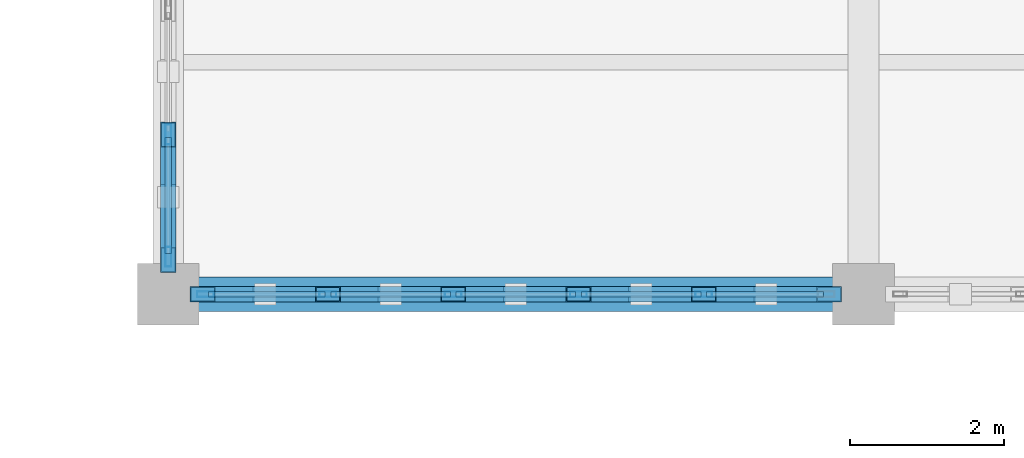
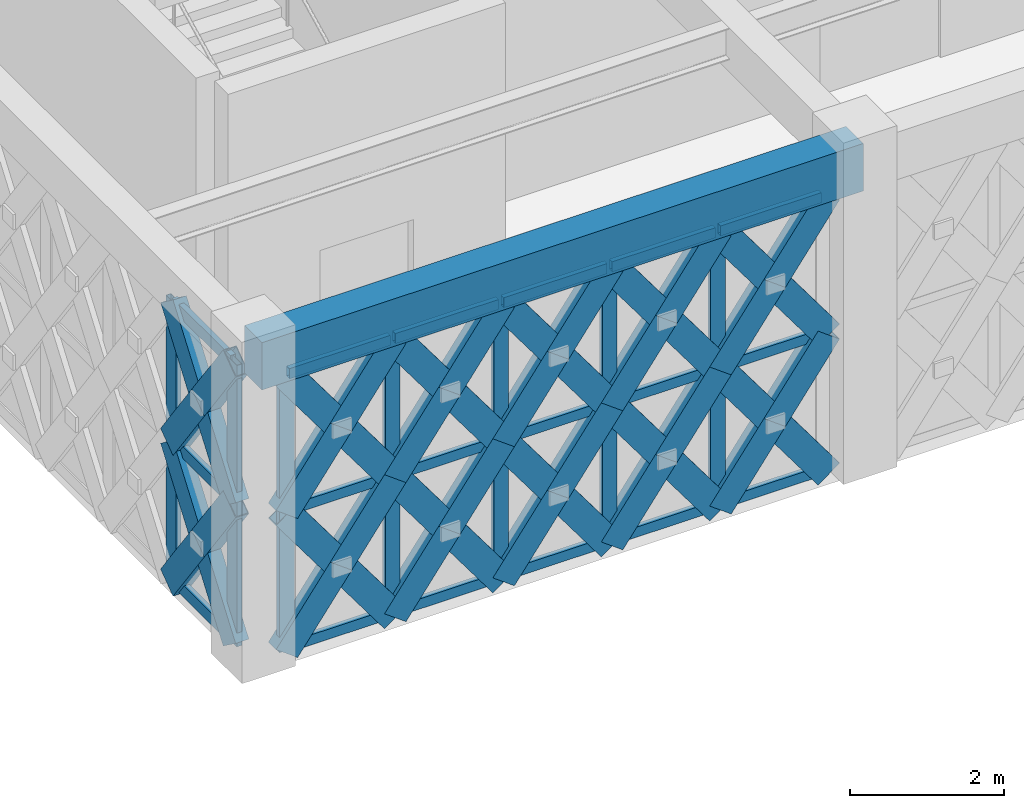
# One storey, part 31 of 86: 61 members, 1 beam, 2 elements without a shape of their own.
"""IFC4 building model written with IfcOpenShell, lengths in metres."""

from ifc_helpers import new_model, si_unit, direction, frame, origin, origin_2d, place, context, subcontext, project, spatial, rectangle, hollow_rectangle, extrude, material, material_profile, profile_set, type_object, element, aggregate, save


model = new_model("IFC4")

# Units and contexts
model_context = context("Model", 3, precision=1e-05, world=origin(), true_north=direction((0.0, 1.0)))
body_context = subcontext(model_context, "Body", "Model", "MODEL_VIEW")
ifc_project = project(units=[si_unit("LENGTHUNIT", "METRE"), si_unit("AREAUNIT", "SQUARE_METRE"), si_unit("VOLUMEUNIT", "CUBIC_METRE"), si_unit("PLANEANGLEUNIT", "RADIAN"), si_unit("MASSUNIT", "GRAM", prefix="KILO")], contexts=[model_context])

# Site, building, storey
site_placement = place(None, origin())
site = spatial("IfcSite", under=ifc_project, at=site_placement, CompositionType="ELEMENT")
building_placement = place(site_placement, origin())
building = spatial("IfcBuilding", under=site, at=building_placement, Name="Haizhuo Lancet Aquarium", CompositionType="ELEMENT")
storey_placement = place(building_placement, frame((0.0, 0.0, 16.199951171875)))
storey = spatial("IfcBuildingStorey", under=building, at=storey_placement, Name="L03", CompositionType="ELEMENT", Elevation=16.199951171875)

# Beam
ifc_material_1 = material(Name="Concrete C40/50", Category="concrete")
ifc_material_profile_1 = material_profile(ifc_material_1, rectangle(XDim=0.449951171875, YDim=0.75, at=origin_2d()), Name="RC-BM 450x750")
ifc_profile_set_1 = profile_set([ifc_material_profile_1], Name="Concrete C40/50")
beam_type = type_object("IfcBeamType", Name="BM-RC-450x750", PredefinedType="BEAM", material=ifc_profile_set_1)
beam_placement = place(storey_placement, frame((-27.0, 36.0, 4.775146484375), z_axis=(1.0, 0.0, 0.0), x_axis=(0.0, 1.0, 0.0)))
element("IfcBeam", 1, at=beam_placement, inside=storey, type_object=beam_type, Name="L03 V5 primary girder BM-L03-V5-002", PredefinedType="BEAM", context=body_context, shape_type="SweptSolid", body=[
    extrude(rectangle(XDim=0.449951171875, YDim=0.75, at=origin_2d()), origin(), (0.0, 0.0, 1.0), 9.0),
])

# Curtain wall, members
ifc_material_2 = material(Name="Aluminium 6063-T6", Category="aluminium")
curtain_wall_type_1 = type_object("IfcCurtainWallType", Name="CWD-8110x4400", PredefinedType="NOTDEFINED", material=ifc_material_2)
curtain_wall_1_placement = place(storey_placement, origin())
curtain_wall_1 = element("IfcCurtainWall", 2, at=curtain_wall_1_placement, inside=storey, type_object=curtain_wall_type_1, Name="L03 curtain wall CW-V5-L03-173", PredefinedType="NOTDEFINED")
ifc_material_profile_2 = material_profile(ifc_material_2, hollow_rectangle(XDim=0.074951171875, YDim=0.219970703125, WallThickness=0.0048828125, at=origin_2d()), Name="ALU-M 75x220x5")
ifc_profile_set_2 = profile_set([ifc_material_profile_2], Name="Aluminium 6063-T6")
member_type_1 = type_object("IfcMemberType", Name="CW-MUL-2", PredefinedType="MULLION", material=ifc_profile_set_2)
member_1_placement = place(storey_placement, frame((-20.06689453125, 36.0, 0.0), z_axis=(0.0, 0.0, 1.0), x_axis=(0.0, -1.0, 0.0)))
member_1 = element("IfcMember", 3, at=member_1_placement, type_object=member_type_1, Name="CWD-81x44 mullion 2", PredefinedType="MULLION", context=body_context, shape_type="SweptSolid", body=[
    extrude(hollow_rectangle(XDim=0.074951171875, YDim=0.219970703125, WallThickness=0.0048828125, at=origin_2d()), origin(), (0.0, 0.0, 1.0), 4.400146484375),
])
member_2_placement = place(storey_placement, frame((-21.68896484375, 36.0, 0.0), z_axis=(0.0, 0.0, 1.0), x_axis=(0.0, -1.0, 0.0)))
member_2 = element("IfcMember", 4, at=member_2_placement, type_object=member_type_1, Name="CWD-81x44 mullion 3", PredefinedType="MULLION", context=body_context, shape_type="SweptSolid", body=[
    extrude(hollow_rectangle(XDim=0.074951171875, YDim=0.219970703125, WallThickness=0.0048828125, at=origin_2d()), origin(), (0.0, 0.0, 1.0), 4.400146484375),
])
member_3_placement = place(storey_placement, frame((-23.31103515625, 36.0, 0.0), z_axis=(0.0, 0.0, 1.0), x_axis=(0.0, -1.0, 0.0)))
member_3 = element("IfcMember", 5, at=member_3_placement, type_object=member_type_1, Name="CWD-81x44 mullion 4", PredefinedType="MULLION", context=body_context, shape_type="SweptSolid", body=[
    extrude(hollow_rectangle(XDim=0.074951171875, YDim=0.219970703125, WallThickness=0.0048828125, at=origin_2d()), origin(), (0.0, 0.0, 1.0), 4.400146484375),
])
member_4_placement = place(storey_placement, frame((-24.93310546875, 36.0, 0.0), z_axis=(0.0, 0.0, 1.0), x_axis=(0.0, -1.0, 0.0)))
member_4 = element("IfcMember", 6, at=member_4_placement, type_object=member_type_1, Name="CWD-81x44 mullion 5", PredefinedType="MULLION", context=body_context, shape_type="SweptSolid", body=[
    extrude(hollow_rectangle(XDim=0.074951171875, YDim=0.219970703125, WallThickness=0.0048828125, at=origin_2d()), origin(), (0.0, 0.0, 1.0), 4.400146484375),
])
member_5_placement = place(storey_placement, frame((-26.51708984375, 36.0, 0.0), z_axis=(0.0, 0.0, 1.0), x_axis=(0.0, -1.0, 0.0)))
member_5 = element("IfcMember", 7, at=member_5_placement, type_object=member_type_1, Name="CWD-81x44 mullion 6", PredefinedType="MULLION", context=body_context, shape_type="SweptSolid", body=[
    extrude(hollow_rectangle(XDim=0.074951171875, YDim=0.219970703125, WallThickness=0.0048828125, at=origin_2d()), origin(), (0.0, 0.0, 1.0), 4.400146484375),
])

curtain_wall_type_2 = type_object("IfcCurtainWallType", Name="CWD-8110x4450", PredefinedType="NOTDEFINED", material=ifc_material_2)
curtain_wall_2_placement = place(storey_placement, origin())
curtain_wall_2 = element("IfcCurtainWall", 8, at=curtain_wall_2_placement, inside=storey, type_object=curtain_wall_type_2, Name="L03 curtain wall CW-V5-L03-174", PredefinedType="NOTDEFINED")
ifc_material_profile_3 = material_profile(ifc_material_2, hollow_rectangle(XDim=0.080078125, YDim=0.260009765625, WallThickness=0.0048828125, at=origin_2d()), Name="ALU-M 80x260x5")
ifc_profile_set_3 = profile_set([ifc_material_profile_3], Name="Aluminium 6063-T6")
member_type_2 = type_object("IfcMemberType", Name="CW-MUL-3", PredefinedType="MULLION", material=ifc_profile_set_3)
member_6_placement = place(storey_placement, frame((-27.0, 36.485107421875, 0.0), z_axis=(0.0, 0.0, 1.0), x_axis=(-1.0, 0.0, 0.0)))
member_6 = element("IfcMember", 9, at=member_6_placement, type_object=member_type_2, Name="CWD-81x44 mullion 1", PredefinedType="MULLION", context=body_context, shape_type="SweptSolid", body=[
    extrude(hollow_rectangle(XDim=0.080078125, YDim=0.260009765625, WallThickness=0.0048828125, at=origin_2d()), origin(), (0.0, 0.0, 1.0), 4.449951171875),
])
member_7_placement = place(storey_placement, frame((-27.0, 38.06689453125, 0.0), z_axis=(0.0, 0.0, 1.0), x_axis=(-1.0, 0.0, 0.0)))
member_7 = element("IfcMember", 10, at=member_7_placement, type_object=member_type_2, Name="CWD-81x44 mullion 2", PredefinedType="MULLION", context=body_context, shape_type="SweptSolid", body=[
    extrude(hollow_rectangle(XDim=0.080078125, YDim=0.260009765625, WallThickness=0.0048828125, at=origin_2d()), origin(), (0.0, 0.0, 1.0), 4.449951171875),
])

# Member
ifc_material_profile_4 = material_profile(ifc_material_2, hollow_rectangle(XDim=0.074951171875, YDim=0.159912109375, WallThickness=0.00390625, at=origin_2d()), Name="ALU-T 75x160x4")
ifc_profile_set_4 = profile_set([ifc_material_profile_4], Name="Aluminium 6063-T6")
member_type_3 = type_object("IfcMemberType", Name="CW-TRN-2", PredefinedType="NOTDEFINED", material=ifc_profile_set_4)
member_8_placement = place(storey_placement, frame((-18.52001953125, 36.0, 0.0380859375), z_axis=(-1.0, 0.0, 0.0), x_axis=(0.0, -1.0, 0.0)))
member_8 = element("IfcMember", 11, at=member_8_placement, type_object=member_type_3, Name="CWD-81x44 transom 1.1", ObjectType="TRANSOM", PredefinedType="USERDEFINED", context=body_context, shape_type="SweptSolid", body=[
    extrude(hollow_rectangle(XDim=0.074951171875, YDim=0.159912109375, WallThickness=0.00390625, at=origin_2d()), origin(), (0.0, 0.0, 1.0), 1.509033203125),
])

member_9_placement = place(storey_placement, frame((-18.52001953125, 36.0, 2.199951171875), z_axis=(-1.0, 0.0, 0.0), x_axis=(0.0, -1.0, 0.0)))
member_9 = element("IfcMember", 12, at=member_9_placement, type_object=member_type_3, Name="CWD-81x44 transom 1.2", ObjectType="TRANSOM", PredefinedType="USERDEFINED", context=body_context, shape_type="SweptSolid", body=[
    extrude(hollow_rectangle(XDim=0.074951171875, YDim=0.159912109375, WallThickness=0.00390625, at=origin_2d()), origin(), (0.0, 0.0, 1.0), 1.509033203125),
])

member_10_placement = place(storey_placement, frame((-18.52001953125, 36.0, 4.362060546875), z_axis=(-1.0, 0.0, 0.0), x_axis=(0.0, -1.0, 0.0)))
member_10 = element("IfcMember", 13, at=member_10_placement, type_object=member_type_3, Name="CWD-81x44 transom 1.3", ObjectType="TRANSOM", PredefinedType="USERDEFINED", context=body_context, shape_type="SweptSolid", body=[
    extrude(hollow_rectangle(XDim=0.074951171875, YDim=0.159912109375, WallThickness=0.00390625, at=origin_2d()), origin(), (0.0, 0.0, 1.0), 1.509033203125),
])

member_11_placement = place(storey_placement, frame((-20.10498046875, 36.0, 0.0380859375), z_axis=(-1.0, 0.0, 0.0), x_axis=(0.0, -1.0, 0.0)))
member_11 = element("IfcMember", 14, at=member_11_placement, type_object=member_type_3, Name="CWD-81x44 transom 2.1", ObjectType="TRANSOM", PredefinedType="USERDEFINED", context=body_context, shape_type="SweptSolid", body=[
    extrude(hollow_rectangle(XDim=0.074951171875, YDim=0.159912109375, WallThickness=0.00390625, at=origin_2d()), origin(), (0.0, 0.0, 1.0), 1.5458984375),
])

member_12_placement = place(storey_placement, frame((-20.10498046875, 36.0, 2.199951171875), z_axis=(-1.0, 0.0, 0.0), x_axis=(0.0, -1.0, 0.0)))
member_12 = element("IfcMember", 15, at=member_12_placement, type_object=member_type_3, Name="CWD-81x44 transom 2.2", ObjectType="TRANSOM", PredefinedType="USERDEFINED", context=body_context, shape_type="SweptSolid", body=[
    extrude(hollow_rectangle(XDim=0.074951171875, YDim=0.159912109375, WallThickness=0.00390625, at=origin_2d()), origin(), (0.0, 0.0, 1.0), 1.5458984375),
])

member_13_placement = place(storey_placement, frame((-20.10498046875, 36.0, 4.362060546875), z_axis=(-1.0, 0.0, 0.0), x_axis=(0.0, -1.0, 0.0)))
member_13 = element("IfcMember", 16, at=member_13_placement, type_object=member_type_3, Name="CWD-81x44 transom 2.3", ObjectType="TRANSOM", PredefinedType="USERDEFINED", context=body_context, shape_type="SweptSolid", body=[
    extrude(hollow_rectangle(XDim=0.074951171875, YDim=0.159912109375, WallThickness=0.00390625, at=origin_2d()), origin(), (0.0, 0.0, 1.0), 1.5458984375),
])

member_14_placement = place(storey_placement, frame((-21.72705078125, 36.0, 0.0380859375), z_axis=(-1.0, 0.0, 0.0), x_axis=(0.0, -1.0, 0.0)))
member_14 = element("IfcMember", 17, at=member_14_placement, type_object=member_type_3, Name="CWD-81x44 transom 3.1", ObjectType="TRANSOM", PredefinedType="USERDEFINED", context=body_context, shape_type="SweptSolid", body=[
    extrude(hollow_rectangle(XDim=0.074951171875, YDim=0.159912109375, WallThickness=0.00390625, at=origin_2d()), origin(), (0.0, 0.0, 1.0), 1.5458984375),
])

member_15_placement = place(storey_placement, frame((-21.72705078125, 36.0, 2.199951171875), z_axis=(-1.0, 0.0, 0.0), x_axis=(0.0, -1.0, 0.0)))
member_15 = element("IfcMember", 18, at=member_15_placement, type_object=member_type_3, Name="CWD-81x44 transom 3.2", ObjectType="TRANSOM", PredefinedType="USERDEFINED", context=body_context, shape_type="SweptSolid", body=[
    extrude(hollow_rectangle(XDim=0.074951171875, YDim=0.159912109375, WallThickness=0.00390625, at=origin_2d()), origin(), (0.0, 0.0, 1.0), 1.5458984375),
])

member_16_placement = place(storey_placement, frame((-21.72705078125, 36.0, 4.362060546875), z_axis=(-1.0, 0.0, 0.0), x_axis=(0.0, -1.0, 0.0)))
member_16 = element("IfcMember", 19, at=member_16_placement, type_object=member_type_3, Name="CWD-81x44 transom 3.3", ObjectType="TRANSOM", PredefinedType="USERDEFINED", context=body_context, shape_type="SweptSolid", body=[
    extrude(hollow_rectangle(XDim=0.074951171875, YDim=0.159912109375, WallThickness=0.00390625, at=origin_2d()), origin(), (0.0, 0.0, 1.0), 1.5458984375),
])

member_17_placement = place(storey_placement, frame((-23.34912109375, 36.0, 0.0380859375), z_axis=(-1.0, 0.0, 0.0), x_axis=(0.0, -1.0, 0.0)))
member_17 = element("IfcMember", 20, at=member_17_placement, type_object=member_type_3, Name="CWD-81x44 transom 4.1", ObjectType="TRANSOM", PredefinedType="USERDEFINED", context=body_context, shape_type="SweptSolid", body=[
    extrude(hollow_rectangle(XDim=0.074951171875, YDim=0.159912109375, WallThickness=0.00390625, at=origin_2d()), origin(), (0.0, 0.0, 1.0), 1.5458984375),
])

member_18_placement = place(storey_placement, frame((-23.34912109375, 36.0, 2.199951171875), z_axis=(-1.0, 0.0, 0.0), x_axis=(0.0, -1.0, 0.0)))
member_18 = element("IfcMember", 21, at=member_18_placement, type_object=member_type_3, Name="CWD-81x44 transom 4.2", ObjectType="TRANSOM", PredefinedType="USERDEFINED", context=body_context, shape_type="SweptSolid", body=[
    extrude(hollow_rectangle(XDim=0.074951171875, YDim=0.159912109375, WallThickness=0.00390625, at=origin_2d()), origin(), (0.0, 0.0, 1.0), 1.5458984375),
])

member_19_placement = place(storey_placement, frame((-23.34912109375, 36.0, 4.362060546875), z_axis=(-1.0, 0.0, 0.0), x_axis=(0.0, -1.0, 0.0)))
member_19 = element("IfcMember", 22, at=member_19_placement, type_object=member_type_3, Name="CWD-81x44 transom 4.3", ObjectType="TRANSOM", PredefinedType="USERDEFINED", context=body_context, shape_type="SweptSolid", body=[
    extrude(hollow_rectangle(XDim=0.074951171875, YDim=0.159912109375, WallThickness=0.00390625, at=origin_2d()), origin(), (0.0, 0.0, 1.0), 1.5458984375),
])

member_20_placement = place(storey_placement, frame((-24.970947265625, 36.0, 0.0380859375), z_axis=(-1.0, 0.0, 0.0), x_axis=(0.0, -1.0, 0.0)))
member_20 = element("IfcMember", 23, at=member_20_placement, type_object=member_type_3, Name="CWD-81x44 transom 5.1", ObjectType="TRANSOM", PredefinedType="USERDEFINED", context=body_context, shape_type="SweptSolid", body=[
    extrude(hollow_rectangle(XDim=0.074951171875, YDim=0.159912109375, WallThickness=0.00390625, at=origin_2d()), origin(), (0.0, 0.0, 1.0), 1.509033203125),
])

member_21_placement = place(storey_placement, frame((-24.970947265625, 36.0, 2.199951171875), z_axis=(-1.0, 0.0, 0.0), x_axis=(0.0, -1.0, 0.0)))
member_21 = element("IfcMember", 24, at=member_21_placement, type_object=member_type_3, Name="CWD-81x44 transom 5.2", ObjectType="TRANSOM", PredefinedType="USERDEFINED", context=body_context, shape_type="SweptSolid", body=[
    extrude(hollow_rectangle(XDim=0.074951171875, YDim=0.159912109375, WallThickness=0.00390625, at=origin_2d()), origin(), (0.0, 0.0, 1.0), 1.509033203125),
])

member_22_placement = place(storey_placement, frame((-24.970947265625, 36.0, 4.362060546875), z_axis=(-1.0, 0.0, 0.0), x_axis=(0.0, -1.0, 0.0)))
member_22 = element("IfcMember", 25, at=member_22_placement, type_object=member_type_3, Name="CWD-81x44 transom 5.3", ObjectType="TRANSOM", PredefinedType="USERDEFINED", context=body_context, shape_type="SweptSolid", body=[
    extrude(hollow_rectangle(XDim=0.074951171875, YDim=0.159912109375, WallThickness=0.00390625, at=origin_2d()), origin(), (0.0, 0.0, 1.0), 1.509033203125),
])

aggregate(curtain_wall_1, [member_1, member_2, member_3, member_4, member_5, member_8, member_9, member_10, member_11, member_12, member_13, member_14, member_15, member_16, member_17, member_18, member_19, member_20, member_21, member_22])

ifc_material_profile_5 = material_profile(ifc_material_2, hollow_rectangle(XDim=0.080078125, YDim=0.18994140625, WallThickness=0.0048828125, at=origin_2d()), Name="ALU-T 80x190x5")
ifc_profile_set_5 = profile_set([ifc_material_profile_5], Name="Aluminium 6063-T6")
member_type_4 = type_object("IfcMemberType", Name="CW-TRN-3", PredefinedType="NOTDEFINED", material=ifc_profile_set_5)
member_23_placement = place(storey_placement, frame((-27.0, 36.52490234375, 0.0400390625), z_axis=(0.0, 1.0, 0.0), x_axis=(-1.0, 0.0, 0.0)))
member_23 = element("IfcMember", 26, at=member_23_placement, type_object=member_type_4, Name="CWD-81x44 transom 1.1", ObjectType="TRANSOM", PredefinedType="USERDEFINED", context=body_context, shape_type="SweptSolid", body=[
    extrude(hollow_rectangle(XDim=0.080078125, YDim=0.18994140625, WallThickness=0.0048828125, at=origin_2d()), origin(), (0.0, 0.0, 1.0), 1.502197265625),
])

member_24_placement = place(storey_placement, frame((-27.0, 36.52490234375, 2.22509765625), z_axis=(0.0, 1.0, 0.0), x_axis=(-1.0, 0.0, 0.0)))
member_24 = element("IfcMember", 27, at=member_24_placement, type_object=member_type_4, Name="CWD-81x44 transom 1.2", ObjectType="TRANSOM", PredefinedType="USERDEFINED", context=body_context, shape_type="SweptSolid", body=[
    extrude(hollow_rectangle(XDim=0.080078125, YDim=0.18994140625, WallThickness=0.0048828125, at=origin_2d()), origin(), (0.0, 0.0, 1.0), 1.502197265625),
])

member_25_placement = place(storey_placement, frame((-27.0, 36.52490234375, 4.41015625), z_axis=(0.0, 1.0, 0.0), x_axis=(-1.0, 0.0, 0.0)))
member_25 = element("IfcMember", 28, at=member_25_placement, type_object=member_type_4, Name="CWD-81x44 transom 1.3", ObjectType="TRANSOM", PredefinedType="USERDEFINED", context=body_context, shape_type="SweptSolid", body=[
    extrude(hollow_rectangle(XDim=0.080078125, YDim=0.18994140625, WallThickness=0.0048828125, at=origin_2d()), origin(), (0.0, 0.0, 1.0), 1.502197265625),
])

aggregate(curtain_wall_2, [member_6, member_7, member_23, member_24, member_25])

# Members
ifc_material_3 = material(Name="Steel S355", Category="steel")
ifc_material_profile_6 = material_profile(ifc_material_3, hollow_rectangle(XDim=0.199951171875, YDim=0.39990234375, WallThickness=0.011962890625, at=origin_2d()), Name="RHS 200x400x12")
ifc_profile_set_6 = profile_set([ifc_material_profile_6], Name="Steel S355")
member_type_5 = type_object("IfcMemberType", Name="MEM-LB-RHS200x400", PredefinedType="BRACE", material=ifc_profile_set_6)
member_26_placement = place(storey_placement, frame((-18.445068359375, 36.0, 0.0), z_axis=(-0.593390983354, 0.0, 0.804914368659), x_axis=(0.0, -1.0, 0.0)))
element("IfcMember", 29, at=member_26_placement, inside=storey, type_object=member_type_5, Name="Gothic lancet continuous diagonal brace CW-V5-L03-173 1A", PredefinedType="BRACE", context=body_context, shape_type="SweptSolid", body=[
    extrude(hollow_rectangle(XDim=0.199951171875, YDim=0.39990234375, WallThickness=0.011962890625, at=origin_2d()), origin(), (0.0, 0.0, 1.0), 2.733154296875),
])
member_27_placement = place(storey_placement, frame((-20.06689453125, 36.0, 0.0), z_axis=(0.593290443054, 0.0, 0.80498847829), x_axis=(0.0, 1.0, 0.0)))
element("IfcMember", 30, at=member_27_placement, inside=storey, type_object=member_type_5, Name="Gothic lancet split diagonal brace CW-V5-L03-173 1B1", PredefinedType="BRACE", context=body_context, shape_type="SweptSolid", body=[
    extrude(hollow_rectangle(XDim=0.199951171875, YDim=0.39990234375, WallThickness=0.011962890625, at=origin_2d()), origin(), (0.0, 0.0, 1.0), 1.36669921875),
])
member_28_placement = place(storey_placement, frame((-19.256103515625, 36.0, 1.10009765625), z_axis=(0.593491518195, 0.0, 0.80484024367), x_axis=(0.0, 1.0, 0.0)))
element("IfcMember", 31, at=member_28_placement, inside=storey, type_object=member_type_5, Name="Gothic lancet split diagonal brace CW-V5-L03-173 1B2", PredefinedType="BRACE", context=body_context, shape_type="SweptSolid", body=[
    extrude(hollow_rectangle(XDim=0.199951171875, YDim=0.39990234375, WallThickness=0.011962890625, at=origin_2d()), origin(), (0.0, 0.0, 1.0), 1.366455078125),
])
member_29_placement = place(storey_placement, frame((-18.445068359375, 36.0, 2.199951171875), z_axis=(-0.593348321024, 0.0, 0.804945818014), x_axis=(0.0, -1.0, 0.0)))
element("IfcMember", 32, at=member_29_placement, inside=storey, type_object=member_type_5, Name="Gothic lancet continuous diagonal brace CW-V5-L03-173 2A", PredefinedType="BRACE", context=body_context, shape_type="SweptSolid", body=[
    extrude(hollow_rectangle(XDim=0.199951171875, YDim=0.39990234375, WallThickness=0.011962890625, at=origin_2d()), origin(), (0.0, 0.0, 1.0), 2.7333984375),
])
for number, where, z_axis, x_axis, name in (
    (33, (-20.06689453125, 36.0, 2.199951171875), (0.593290443054, 0.0, 0.80498847829), (0.0, 1.0, 0.0), "Gothic lancet split diagonal brace CW-V5-L03-173 2B1"),
    (34, (-19.256103515625, 36.0, 3.300048828125), (0.593406189792, 0.0, 0.804903158098), (0.0, 1.0, 0.0), "Gothic lancet split diagonal brace CW-V5-L03-173 2B2"),
):
    element("IfcMember", number, at=place(storey_placement, frame(where, z_axis=z_axis, x_axis=x_axis)), inside=storey, type_object=member_type_5, Name=name, PredefinedType="BRACE", context=body_context, shape_type="SweptSolid", body=[
        extrude(hollow_rectangle(XDim=0.199951171875, YDim=0.39990234375, WallThickness=0.011962890625, at=origin_2d()), origin(), (0.0, 0.0, 1.0), 1.36669921875),
    ])
member_30_placement = place(storey_placement, frame((-20.06689453125, 36.0, 0.0), z_axis=(-0.59344885176, 0.0, 0.804871704276), x_axis=(0.0, -1.0, 0.0)))
element("IfcMember", 35, at=member_30_placement, inside=storey, type_object=member_type_5, Name="Gothic lancet continuous diagonal brace CW-V5-L03-173 3A", PredefinedType="BRACE", context=body_context, shape_type="SweptSolid", body=[
    extrude(hollow_rectangle(XDim=0.199951171875, YDim=0.39990234375, WallThickness=0.011962890625, at=origin_2d()), origin(), (0.0, 0.0, 1.0), 2.7333984375),
])
member_31_placement = place(storey_placement, frame((-21.68896484375, 36.0, 0.0), z_axis=(0.593406189792, 0.0, 0.804903158098), x_axis=(0.0, 1.0, 0.0)))
element("IfcMember", 36, at=member_31_placement, inside=storey, type_object=member_type_5, Name="Gothic lancet split diagonal brace CW-V5-L03-173 3B1", PredefinedType="BRACE", context=body_context, shape_type="SweptSolid", body=[
    extrude(hollow_rectangle(XDim=0.199951171875, YDim=0.39990234375, WallThickness=0.011962890625, at=origin_2d()), origin(), (0.0, 0.0, 1.0), 1.36669921875),
])
member_32_placement = place(storey_placement, frame((-20.8779296875, 36.0, 1.10009765625), z_axis=(0.593491518195, 0.0, 0.80484024367), x_axis=(0.0, 1.0, 0.0)))
element("IfcMember", 37, at=member_32_placement, inside=storey, type_object=member_type_5, Name="Gothic lancet split diagonal brace CW-V5-L03-173 3B2", PredefinedType="BRACE", context=body_context, shape_type="SweptSolid", body=[
    extrude(hollow_rectangle(XDim=0.199951171875, YDim=0.39990234375, WallThickness=0.011962890625, at=origin_2d()), origin(), (0.0, 0.0, 1.0), 1.366455078125),
])
member_33_placement = place(storey_placement, frame((-20.06689453125, 36.0, 2.199951171875), z_axis=(-0.593406189792, 0.0, 0.804903158098), x_axis=(0.0, -1.0, 0.0)))
element("IfcMember", 38, at=member_33_placement, inside=storey, type_object=member_type_5, Name="Gothic lancet continuous diagonal brace CW-V5-L03-173 4A", PredefinedType="BRACE", context=body_context, shape_type="SweptSolid", body=[
    extrude(hollow_rectangle(XDim=0.199951171875, YDim=0.39990234375, WallThickness=0.011962890625, at=origin_2d()), origin(), (0.0, 0.0, 1.0), 2.7333984375),
])
for number, where, z_axis, x_axis, name in (
    (39, (-21.68896484375, 36.0, 2.199951171875), (0.593406189792, 0.0, 0.804903158098), (0.0, 1.0, 0.0), "Gothic lancet split diagonal brace CW-V5-L03-173 4B1"),
    (40, (-20.8779296875, 36.0, 3.300048828125), (0.593406189792, 0.0, 0.804903158098), (0.0, 1.0, 0.0), "Gothic lancet split diagonal brace CW-V5-L03-173 4B2"),
):
    element("IfcMember", number, at=place(storey_placement, frame(where, z_axis=z_axis, x_axis=x_axis)), inside=storey, type_object=member_type_5, Name=name, PredefinedType="BRACE", context=body_context, shape_type="SweptSolid", body=[
        extrude(hollow_rectangle(XDim=0.199951171875, YDim=0.39990234375, WallThickness=0.011962890625, at=origin_2d()), origin(), (0.0, 0.0, 1.0), 1.36669921875),
    ])
member_34_placement = place(storey_placement, frame((-21.68896484375, 36.0, 0.0), z_axis=(-0.59344885176, 0.0, 0.804871704276), x_axis=(0.0, -1.0, 0.0)))
element("IfcMember", 41, at=member_34_placement, inside=storey, type_object=member_type_5, Name="Gothic lancet continuous diagonal brace CW-V5-L03-173 5A", PredefinedType="BRACE", context=body_context, shape_type="SweptSolid", body=[
    extrude(hollow_rectangle(XDim=0.199951171875, YDim=0.39990234375, WallThickness=0.011962890625, at=origin_2d()), origin(), (0.0, 0.0, 1.0), 2.7333984375),
])
member_35_placement = place(storey_placement, frame((-23.31103515625, 36.0, 0.0), z_axis=(0.593406189792, 0.0, 0.804903158098), x_axis=(0.0, 1.0, 0.0)))
element("IfcMember", 42, at=member_35_placement, inside=storey, type_object=member_type_5, Name="Gothic lancet split diagonal brace CW-V5-L03-173 5B1", PredefinedType="BRACE", context=body_context, shape_type="SweptSolid", body=[
    extrude(hollow_rectangle(XDim=0.199951171875, YDim=0.39990234375, WallThickness=0.011962890625, at=origin_2d()), origin(), (0.0, 0.0, 1.0), 1.36669921875),
])
member_36_placement = place(storey_placement, frame((-22.5, 36.0, 1.10009765625), z_axis=(0.593491518195, 0.0, 0.80484024367), x_axis=(0.0, 1.0, 0.0)))
element("IfcMember", 43, at=member_36_placement, inside=storey, type_object=member_type_5, Name="Gothic lancet split diagonal brace CW-V5-L03-173 5B2", PredefinedType="BRACE", context=body_context, shape_type="SweptSolid", body=[
    extrude(hollow_rectangle(XDim=0.199951171875, YDim=0.39990234375, WallThickness=0.011962890625, at=origin_2d()), origin(), (0.0, 0.0, 1.0), 1.366455078125),
])
member_37_placement = place(storey_placement, frame((-21.68896484375, 36.0, 2.199951171875), z_axis=(-0.593406189792, 0.0, 0.804903158098), x_axis=(0.0, -1.0, 0.0)))
element("IfcMember", 44, at=member_37_placement, inside=storey, type_object=member_type_5, Name="Gothic lancet continuous diagonal brace CW-V5-L03-173 6A", PredefinedType="BRACE", context=body_context, shape_type="SweptSolid", body=[
    extrude(hollow_rectangle(XDim=0.199951171875, YDim=0.39990234375, WallThickness=0.011962890625, at=origin_2d()), origin(), (0.0, 0.0, 1.0), 2.7333984375),
])
for number, where, z_axis, x_axis, name in (
    (45, (-23.31103515625, 36.0, 2.199951171875), (0.593406189792, 0.0, 0.804903158098), (0.0, 1.0, 0.0), "Gothic lancet split diagonal brace CW-V5-L03-173 6B1"),
    (46, (-22.5, 36.0, 3.300048828125), (0.593406189792, 0.0, 0.804903158098), (0.0, 1.0, 0.0), "Gothic lancet split diagonal brace CW-V5-L03-173 6B2"),
):
    element("IfcMember", number, at=place(storey_placement, frame(where, z_axis=z_axis, x_axis=x_axis)), inside=storey, type_object=member_type_5, Name=name, PredefinedType="BRACE", context=body_context, shape_type="SweptSolid", body=[
        extrude(hollow_rectangle(XDim=0.199951171875, YDim=0.39990234375, WallThickness=0.011962890625, at=origin_2d()), origin(), (0.0, 0.0, 1.0), 1.36669921875),
    ])
member_38_placement = place(storey_placement, frame((-23.31103515625, 36.0, 0.0), z_axis=(-0.59344885176, 0.0, 0.804871704276), x_axis=(0.0, -1.0, 0.0)))
element("IfcMember", 47, at=member_38_placement, inside=storey, type_object=member_type_5, Name="Gothic lancet continuous diagonal brace CW-V5-L03-173 7A", PredefinedType="BRACE", context=body_context, shape_type="SweptSolid", body=[
    extrude(hollow_rectangle(XDim=0.199951171875, YDim=0.39990234375, WallThickness=0.011962890625, at=origin_2d()), origin(), (0.0, 0.0, 1.0), 2.7333984375),
])
member_39_placement = place(storey_placement, frame((-24.93310546875, 36.0, 0.0), z_axis=(0.593406189792, 0.0, 0.804903158098), x_axis=(0.0, 1.0, 0.0)))
element("IfcMember", 48, at=member_39_placement, inside=storey, type_object=member_type_5, Name="Gothic lancet split diagonal brace CW-V5-L03-173 7B1", PredefinedType="BRACE", context=body_context, shape_type="SweptSolid", body=[
    extrude(hollow_rectangle(XDim=0.199951171875, YDim=0.39990234375, WallThickness=0.011962890625, at=origin_2d()), origin(), (0.0, 0.0, 1.0), 1.36669921875),
])
member_40_placement = place(storey_placement, frame((-24.1220703125, 36.0, 1.10009765625), z_axis=(0.593491518195, 0.0, 0.80484024367), x_axis=(0.0, 1.0, 0.0)))
element("IfcMember", 49, at=member_40_placement, inside=storey, type_object=member_type_5, Name="Gothic lancet split diagonal brace CW-V5-L03-173 7B2", PredefinedType="BRACE", context=body_context, shape_type="SweptSolid", body=[
    extrude(hollow_rectangle(XDim=0.199951171875, YDim=0.39990234375, WallThickness=0.011962890625, at=origin_2d()), origin(), (0.0, 0.0, 1.0), 1.366455078125),
])
member_41_placement = place(storey_placement, frame((-23.31103515625, 36.0, 2.199951171875), z_axis=(-0.593406189792, 0.0, 0.804903158098), x_axis=(0.0, -1.0, 0.0)))
element("IfcMember", 50, at=member_41_placement, inside=storey, type_object=member_type_5, Name="Gothic lancet continuous diagonal brace CW-V5-L03-173 8A", PredefinedType="BRACE", context=body_context, shape_type="SweptSolid", body=[
    extrude(hollow_rectangle(XDim=0.199951171875, YDim=0.39990234375, WallThickness=0.011962890625, at=origin_2d()), origin(), (0.0, 0.0, 1.0), 2.7333984375),
])
for number, where, z_axis, x_axis, name in (
    (51, (-24.93310546875, 36.0, 2.199951171875), (0.593406189792, 0.0, 0.804903158098), (0.0, 1.0, 0.0), "Gothic lancet split diagonal brace CW-V5-L03-173 8B1"),
    (52, (-24.1220703125, 36.0, 3.300048828125), (0.593406189792, 0.0, 0.804903158098), (0.0, 1.0, 0.0), "Gothic lancet split diagonal brace CW-V5-L03-173 8B2"),
):
    element("IfcMember", number, at=place(storey_placement, frame(where, z_axis=z_axis, x_axis=x_axis)), inside=storey, type_object=member_type_5, Name=name, PredefinedType="BRACE", context=body_context, shape_type="SweptSolid", body=[
        extrude(hollow_rectangle(XDim=0.199951171875, YDim=0.39990234375, WallThickness=0.011962890625, at=origin_2d()), origin(), (0.0, 0.0, 1.0), 1.36669921875),
    ])
member_42_placement = place(storey_placement, frame((-24.93310546875, 36.0, 0.0), z_axis=(-0.593390983354, 0.0, 0.804914368659), x_axis=(0.0, -1.0, 0.0)))
element("IfcMember", 53, at=member_42_placement, inside=storey, type_object=member_type_5, Name="Gothic lancet continuous diagonal brace CW-V5-L03-173 9A", PredefinedType="BRACE", context=body_context, shape_type="SweptSolid", body=[
    extrude(hollow_rectangle(XDim=0.199951171875, YDim=0.39990234375, WallThickness=0.011962890625, at=origin_2d()), origin(), (0.0, 0.0, 1.0), 2.733154296875),
])
member_43_placement = place(storey_placement, frame((-26.554931640625, 36.0, 0.0), z_axis=(0.593406189792, 0.0, 0.804903158098), x_axis=(0.0, 1.0, 0.0)))
element("IfcMember", 54, at=member_43_placement, inside=storey, type_object=member_type_5, Name="Gothic lancet split diagonal brace CW-V5-L03-173 9B1", PredefinedType="BRACE", context=body_context, shape_type="SweptSolid", body=[
    extrude(hollow_rectangle(XDim=0.199951171875, YDim=0.39990234375, WallThickness=0.011962890625, at=origin_2d()), origin(), (0.0, 0.0, 1.0), 1.36669921875),
])
member_44_placement = place(storey_placement, frame((-25.743896484375, 36.0, 1.10009765625), z_axis=(0.593375772905, 0.0, 0.804925581734), x_axis=(0.0, 1.0, 0.0)))
element("IfcMember", 55, at=member_44_placement, inside=storey, type_object=member_type_5, Name="Gothic lancet split diagonal brace CW-V5-L03-173 9B2", PredefinedType="BRACE", context=body_context, shape_type="SweptSolid", body=[
    extrude(hollow_rectangle(XDim=0.199951171875, YDim=0.39990234375, WallThickness=0.011962890625, at=origin_2d()), origin(), (0.0, 0.0, 1.0), 1.366455078125),
])
member_45_placement = place(storey_placement, frame((-24.93310546875, 36.0, 2.199951171875), z_axis=(-0.593348321024, 0.0, 0.804945818014), x_axis=(0.0, -1.0, 0.0)))
element("IfcMember", 56, at=member_45_placement, inside=storey, type_object=member_type_5, Name="Gothic lancet continuous diagonal brace CW-V5-L03-173 10A", PredefinedType="BRACE", context=body_context, shape_type="SweptSolid", body=[
    extrude(hollow_rectangle(XDim=0.199951171875, YDim=0.39990234375, WallThickness=0.011962890625, at=origin_2d()), origin(), (0.0, 0.0, 1.0), 2.7333984375),
])
for number, where, z_axis, x_axis, name in (
    (57, (-26.554931640625, 36.0, 2.199951171875), (0.593406189792, 0.0, 0.804903158098), (0.0, 1.0, 0.0), "Gothic lancet split diagonal brace CW-V5-L03-173 10B1"),
    (58, (-25.743896484375, 36.0, 3.300048828125), (0.593290443054, 0.0, 0.80498847829), (0.0, 1.0, 0.0), "Gothic lancet split diagonal brace CW-V5-L03-173 10B2"),
):
    element("IfcMember", number, at=place(storey_placement, frame(where, z_axis=z_axis, x_axis=x_axis)), inside=storey, type_object=member_type_5, Name=name, PredefinedType="BRACE", context=body_context, shape_type="SweptSolid", body=[
        extrude(hollow_rectangle(XDim=0.199951171875, YDim=0.39990234375, WallThickness=0.011962890625, at=origin_2d()), origin(), (0.0, 0.0, 1.0), 1.36669921875),
    ])
member_46_placement = place(storey_placement, frame((-27.0, 36.445068359375, 0.0), z_axis=(0.0, 0.589020188162, 0.808118319269), x_axis=(-1.0, 0.0, 0.0)))
element("IfcMember", 59, at=member_46_placement, inside=storey, type_object=member_type_5, Name="Gothic lancet continuous diagonal brace CW-V5-L03-174 1A", PredefinedType="BRACE", context=body_context, shape_type="SweptSolid", body=[
    extrude(hollow_rectangle(XDim=0.199951171875, YDim=0.39990234375, WallThickness=0.011962890625, at=origin_2d()), origin(), (0.0, 0.0, 1.0), 2.75341796875),
])
member_47_placement = place(storey_placement, frame((-27.0, 38.06689453125, 0.0), z_axis=(0.0, -0.589131138018, 0.808037438624), x_axis=(1.0, 0.0, 0.0)))
element("IfcMember", 60, at=member_47_placement, inside=storey, type_object=member_type_5, Name="Gothic lancet split diagonal brace CW-V5-L03-174 1B1", PredefinedType="BRACE", context=body_context, shape_type="SweptSolid", body=[
    extrude(hollow_rectangle(XDim=0.199951171875, YDim=0.39990234375, WallThickness=0.011962890625, at=origin_2d()), origin(), (0.0, 0.0, 1.0), 1.376220703125),
])
member_48_placement = place(storey_placement, frame((-27.0, 37.256103515625, 1.112060546875), z_axis=(0.0, -0.588909302377, 0.808199129902), x_axis=(1.0, 0.0, 0.0)))
element("IfcMember", 61, at=member_48_placement, inside=storey, type_object=member_type_5, Name="Gothic lancet split diagonal brace CW-V5-L03-174 1B2", PredefinedType="BRACE", context=body_context, shape_type="SweptSolid", body=[
    extrude(hollow_rectangle(XDim=0.199951171875, YDim=0.39990234375, WallThickness=0.011962890625, at=origin_2d()), origin(), (0.0, 0.0, 1.0), 1.377197265625),
])
member_49_placement = place(storey_placement, frame((-27.0, 36.445068359375, 2.22509765625), z_axis=(0.0, 0.589062396078, 0.808087553132), x_axis=(-1.0, 0.0, 0.0)))
element("IfcMember", 62, at=member_49_placement, inside=storey, type_object=member_type_5, Name="Gothic lancet continuous diagonal brace CW-V5-L03-174 2A", PredefinedType="BRACE", context=body_context, shape_type="SweptSolid", body=[
    extrude(hollow_rectangle(XDim=0.199951171875, YDim=0.39990234375, WallThickness=0.011962890625, at=origin_2d()), origin(), (0.0, 0.0, 1.0), 2.753173828125),
])
member_50_placement = place(storey_placement, frame((-27.0, 38.06689453125, 2.22509765625), z_axis=(0.0, -0.588793490379, 0.808283505762), x_axis=(1.0, 0.0, 0.0)))
element("IfcMember", 63, at=member_50_placement, inside=storey, type_object=member_type_5, Name="Gothic lancet split diagonal brace CW-V5-L03-174 2B1", PredefinedType="BRACE", context=body_context, shape_type="SweptSolid", body=[
    extrude(hollow_rectangle(XDim=0.199951171875, YDim=0.39990234375, WallThickness=0.011962890625, at=origin_2d()), origin(), (0.0, 0.0, 1.0), 1.376953125),
])
member_51_placement = place(storey_placement, frame((-27.0, 37.256103515625, 3.338134765625), z_axis=(0.0, -0.589331401149, 0.80789139098), x_axis=(1.0, 0.0, 0.0)))
element("IfcMember", 64, at=member_51_placement, inside=storey, type_object=member_type_5, Name="Gothic lancet split diagonal brace CW-V5-L03-174 2B2", PredefinedType="BRACE", context=body_context, shape_type="SweptSolid", body=[
    extrude(hollow_rectangle(XDim=0.199951171875, YDim=0.39990234375, WallThickness=0.011962890625, at=origin_2d()), origin(), (0.0, 0.0, 1.0), 1.376220703125),
])

save(model, "model.ifc")
